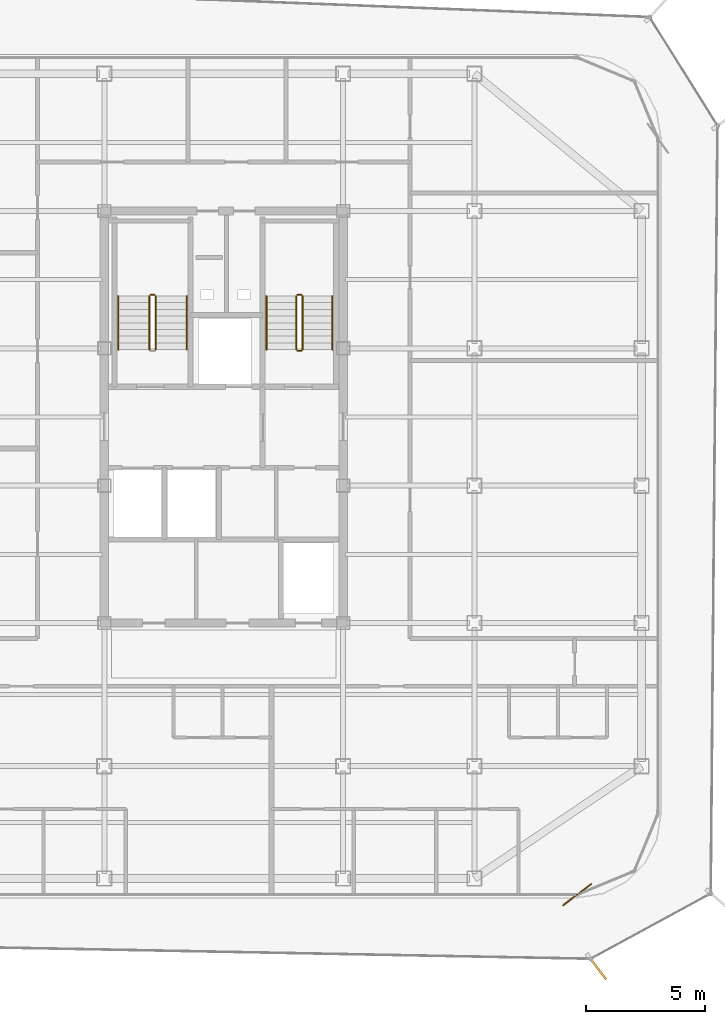
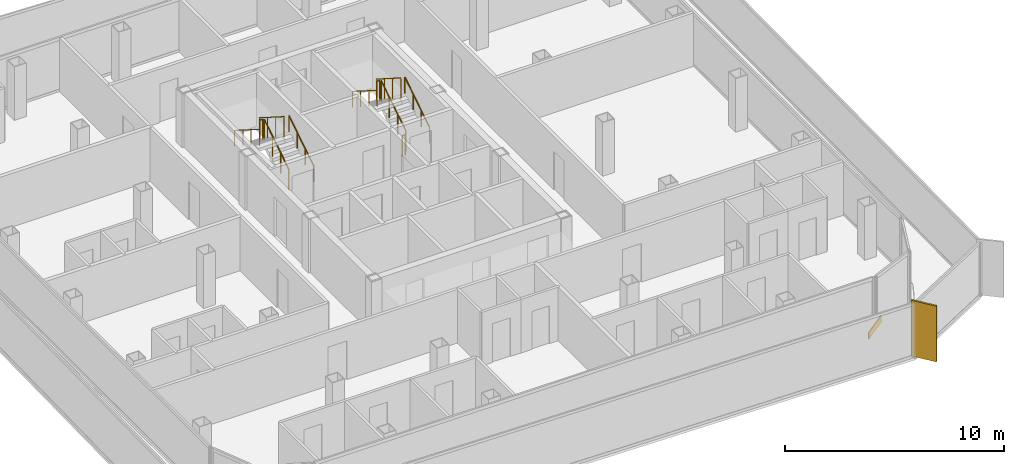
# One storey, part 14 of 15: 11 railings, 1 covering, 1 shading device.
"""IFC4 building model written with IfcOpenShell, lengths in metres."""

from ifc_helpers import new_model, si_unit, direction, frame, origin, origin_2d, place, context, subcontext, project, spatial, rectangle, circle, extrude, source, transform, mapped, material, layer, layer_set, type_object, element, save


model = new_model("IFC4")

# Units and contexts
model_context = context("Model", 3, precision=1e-05, world=origin(), true_north=direction((0.0, 1.0)))
body_context = subcontext(model_context, "Body", "Model", "MODEL_VIEW")
ifc_project = project(units=[si_unit("LENGTHUNIT", "METRE"), si_unit("AREAUNIT", "SQUARE_METRE"), si_unit("VOLUMEUNIT", "CUBIC_METRE"), si_unit("PLANEANGLEUNIT", "RADIAN"), si_unit("MASSUNIT", "GRAM", prefix="KILO")], contexts=[model_context])

# Site, building, storey
site_placement = place(None, origin())
site = spatial("IfcSite", under=ifc_project, at=site_placement, CompositionType="ELEMENT")
building_placement = place(site_placement, origin())
building = spatial("IfcBuilding", under=site, at=building_placement, Name="Kolveth Station Tower", CompositionType="ELEMENT")
storey_placement = place(building_placement, frame((0.0, 0.0, 261.699951171875)))
storey = spatial("IfcBuildingStorey", under=building, at=storey_placement, Name="L75", CompositionType="ELEMENT", Elevation=261.699951171875)

# Railings
ifc_material_1 = material(Name="Painted Steel S355 balustrade", Category="steel")
railing_type_1 = type_object("IfcRailingType", Name="Guard_GR2", PredefinedType="BALUSTRADE", material=ifc_material_1)
railing_1_placement = place(storey_placement, frame((20.64990234375, 22.949951171875, 0.177734375)))
element("IfcRailing", 1, at=railing_1_placement, inside=storey, type_object=railing_type_1, Name="L75 ST1 stair guard 1", PredefinedType="BALUSTRADE", context=body_context, shape_type="SweptSolid", body=[
    extrude(circle(Radius=0.02392578125, at=origin_2d()), frame((0.0, 0.0, 1.1259765625), z_axis=(0.0, 0.84418770128, 0.536047689118), x_axis=(-1.0, 0.0, 0.0)), (0.0, 0.0, 1.0), 2.6533203125),
    extrude(circle(Radius=0.02099609375, at=origin_2d()), origin(), (0.0, 0.0, 1.0), 1.101806640625),
    extrude(circle(Radius=0.02099609375, at=origin_2d()), frame((0.0, 0.74658203125, 0.47412109375)), (0.0, 0.0, 1.0), 1.101806640625),
    extrude(circle(Radius=0.02099609375, at=origin_2d()), frame((0.0, 1.493408203125, 0.9482421875)), (0.0, 0.0, 1.0), 1.101806640625),
    extrude(circle(Radius=0.02099609375, at=origin_2d()), frame((0.0, 2.239990234375, 1.42236328125)), (0.0, 0.0, 1.0), 1.101806640625),
])
railing_2_placement = place(storey_placement, frame((20.60009765625, 25.239990234375, 1.60009765625)))
element("IfcRailing", 2, at=railing_2_placement, inside=storey, type_object=railing_type_1, Name="L75 ST1 stair guard 2", PredefinedType="BALUSTRADE", context=body_context, shape_type="SweptSolid", body=[
    extrude(circle(Radius=0.02392578125, at=origin_2d()), frame((0.0, 0.0, 1.1259765625), z_axis=(-1.0, 0.0, 0.0), x_axis=(0.0, -1.0, 0.0)), (0.0, 0.0, 1.0), 0.16015625),
    extrude(circle(Radius=0.02099609375, at=origin_2d()), origin(), (0.0, 0.0, 1.0), 1.101806640625),
    extrude(circle(Radius=0.02099609375, at=origin_2d()), frame((-0.16015625, 0.0, 0.0)), (0.0, 0.0, 1.0), 1.101806640625),
])
railing_3_placement = place(storey_placement, frame((20.389892578125, 25.18994140625, 1.77783203125)))
element("IfcRailing", 3, at=railing_3_placement, inside=storey, type_object=railing_type_1, Name="L75 ST1 stair guard 3", PredefinedType="BALUSTRADE", context=body_context, shape_type="SweptSolid", body=[
    extrude(circle(Radius=0.02392578125, at=origin_2d()), frame((0.0, 0.0, 1.1259765625), z_axis=(0.0, -0.8442293374, 0.53598211339), x_axis=(1.0, 0.0, 0.0)), (0.0, 0.0, 1.0), 2.6533203125),
    extrude(circle(Radius=0.02099609375, at=origin_2d()), origin(), (0.0, 0.0, 1.0), 1.101806640625),
    extrude(circle(Radius=0.02099609375, at=origin_2d()), frame((0.0, -0.74658203125, 0.47412109375)), (0.0, 0.0, 1.0), 1.101806640625),
    extrude(circle(Radius=0.02099609375, at=origin_2d()), frame((0.0, -1.493408203125, 0.947998046875)), (0.0, 0.0, 1.0), 1.101806640625),
    extrude(circle(Radius=0.02099609375, at=origin_2d()), frame((0.0, -2.239990234375, 1.422119140625)), (0.0, 0.0, 1.0), 1.101806640625),
])
railing_4_placement = place(storey_placement, frame((26.800048828125, 22.949951171875, 0.177734375)))
element("IfcRailing", 4, at=railing_4_placement, inside=storey, type_object=railing_type_1, Name="L75 ST2 stair guard 1", PredefinedType="BALUSTRADE", context=body_context, shape_type="SweptSolid", body=[
    extrude(circle(Radius=0.02392578125, at=origin_2d()), frame((0.0, 0.0, 1.1259765625), z_axis=(0.0, 0.84418770128, 0.536047689118), x_axis=(-1.0, 0.0, 0.0)), (0.0, 0.0, 1.0), 2.6533203125),
    extrude(circle(Radius=0.02099609375, at=origin_2d()), origin(), (0.0, 0.0, 1.0), 1.101806640625),
    extrude(circle(Radius=0.02099609375, at=origin_2d()), frame((0.0, 0.74658203125, 0.47412109375)), (0.0, 0.0, 1.0), 1.101806640625),
    extrude(circle(Radius=0.02099609375, at=origin_2d()), frame((0.0, 1.493408203125, 0.9482421875)), (0.0, 0.0, 1.0), 1.101806640625),
    extrude(circle(Radius=0.02099609375, at=origin_2d()), frame((0.0, 2.239990234375, 1.42236328125)), (0.0, 0.0, 1.0), 1.101806640625),
])
railing_5_placement = place(storey_placement, frame((26.75, 25.239990234375, 1.60009765625)))
element("IfcRailing", 5, at=railing_5_placement, inside=storey, type_object=railing_type_1, Name="L75 ST2 stair guard 2", PredefinedType="BALUSTRADE", context=body_context, shape_type="SweptSolid", body=[
    extrude(circle(Radius=0.02392578125, at=origin_2d()), frame((0.0, 0.0, 1.1259765625), z_axis=(-1.0, 0.0, 0.0), x_axis=(0.0, -1.0, 0.0)), (0.0, 0.0, 1.0), 0.159912109375),
    extrude(circle(Radius=0.02099609375, at=origin_2d()), origin(), (0.0, 0.0, 1.0), 1.101806640625),
    extrude(circle(Radius=0.02099609375, at=origin_2d()), frame((-0.159912109375, 0.0, 0.0)), (0.0, 0.0, 1.0), 1.101806640625),
])
railing_6_placement = place(storey_placement, frame((26.5400390625, 25.18994140625, 1.77783203125)))
element("IfcRailing", 6, at=railing_6_placement, inside=storey, type_object=railing_type_1, Name="L75 ST2 stair guard 3", PredefinedType="BALUSTRADE", context=body_context, shape_type="SweptSolid", body=[
    extrude(circle(Radius=0.02392578125, at=origin_2d()), frame((0.0, 0.0, 1.1259765625), z_axis=(0.0, -0.8442293374, 0.53598211339), x_axis=(1.0, 0.0, 0.0)), (0.0, 0.0, 1.0), 2.6533203125),
    extrude(circle(Radius=0.02099609375, at=origin_2d()), origin(), (0.0, 0.0, 1.0), 1.101806640625),
    extrude(circle(Radius=0.02099609375, at=origin_2d()), frame((0.0, -0.74658203125, 0.47412109375)), (0.0, 0.0, 1.0), 1.101806640625),
    extrude(circle(Radius=0.02099609375, at=origin_2d()), frame((0.0, -1.493408203125, 0.947998046875)), (0.0, 0.0, 1.0), 1.101806640625),
    extrude(circle(Radius=0.02099609375, at=origin_2d()), frame((0.0, -2.239990234375, 1.422119140625)), (0.0, 0.0, 1.0), 1.101806640625),
])
railing_7_placement = place(storey_placement, frame((26.75, 22.89990234375, 0.0)))
element("IfcRailing", 7, at=railing_7_placement, inside=storey, type_object=railing_type_1, Name="L75 ST2 stair guard 4", PredefinedType="BALUSTRADE", context=body_context, shape_type="SweptSolid", body=[
    extrude(circle(Radius=0.02392578125, at=origin_2d()), frame((0.0, 0.0, 1.1259765625), z_axis=(-1.0, 0.0, 0.0), x_axis=(0.0, -1.0, 0.0)), (0.0, 0.0, 1.0), 0.159912109375),
    extrude(circle(Radius=0.02099609375, at=origin_2d()), origin(), (0.0, 0.0, 1.0), 1.101806640625),
    extrude(circle(Radius=0.02099609375, at=origin_2d()), frame((-0.159912109375, 0.0, 0.0)), (0.0, 0.0, 1.0), 1.101806640625),
])
ifc_material_2 = material(Name="Brushed stainless steel", Category="steel")
railing_type_2 = type_object("IfcRailingType", Name="Handrail_HR1", PredefinedType="HANDRAIL", material=ifc_material_2)
railing_8_placement = place(storey_placement, frame((21.949951171875, 22.949951171875, 0.177734375)))
element("IfcRailing", 8, at=railing_8_placement, inside=storey, type_object=railing_type_2, Name="L75 ST1 stair handrail 1", PredefinedType="HANDRAIL", context=body_context, shape_type="SweptSolid", body=[
    extrude(circle(Radius=0.02392578125, at=origin_2d()), frame((0.0, 0.0, 0.8759765625), z_axis=(0.0, 0.84418770128, 0.536047689118), x_axis=(-1.0, 0.0, 0.0)), (0.0, 0.0, 1.0), 2.6533203125),
    extrude(circle(Radius=0.02099609375, at=origin_2d()), origin(), (0.0, 0.0, 1.0), 0.851806640625),
    extrude(circle(Radius=0.02099609375, at=origin_2d()), frame((0.0, 0.74658203125, 0.47412109375)), (0.0, 0.0, 1.0), 0.851806640625),
    extrude(circle(Radius=0.02099609375, at=origin_2d()), frame((0.0, 1.493408203125, 0.9482421875)), (0.0, 0.0, 1.0), 0.851806640625),
    extrude(circle(Radius=0.02099609375, at=origin_2d()), frame((0.0, 2.239990234375, 1.42236328125)), (0.0, 0.0, 1.0), 0.851806640625),
])
railing_9_placement = place(storey_placement, frame((19.090087890625, 25.18994140625, 1.77783203125)))
element("IfcRailing", 9, at=railing_9_placement, inside=storey, type_object=railing_type_2, Name="L75 ST1 stair handrail 2", PredefinedType="HANDRAIL", context=body_context, shape_type="SweptSolid", body=[
    extrude(circle(Radius=0.02392578125, at=origin_2d()), frame((0.0, 0.0, 0.8759765625), z_axis=(0.0, -0.8442293374, 0.53598211339), x_axis=(1.0, 0.0, 0.0)), (0.0, 0.0, 1.0), 2.6533203125),
    extrude(circle(Radius=0.02099609375, at=origin_2d()), origin(), (0.0, 0.0, 1.0), 0.851806640625),
    extrude(circle(Radius=0.02099609375, at=origin_2d()), frame((0.0, -0.74658203125, 0.47412109375)), (0.0, 0.0, 1.0), 0.851806640625),
    extrude(circle(Radius=0.02099609375, at=origin_2d()), frame((0.0, -1.493408203125, 0.947998046875)), (0.0, 0.0, 1.0), 0.851806640625),
    extrude(circle(Radius=0.02099609375, at=origin_2d()), frame((0.0, -2.239990234375, 1.422119140625)), (0.0, 0.0, 1.0), 0.851806640625),
])
railing_10_placement = place(storey_placement, frame((28.050048828125, 22.949951171875, 0.177734375)))
element("IfcRailing", 10, at=railing_10_placement, inside=storey, type_object=railing_type_2, Name="L75 ST2 stair handrail 1", PredefinedType="HANDRAIL", context=body_context, shape_type="SweptSolid", body=[
    extrude(circle(Radius=0.02392578125, at=origin_2d()), frame((0.0, 0.0, 0.8759765625), z_axis=(0.0, 0.84418770128, 0.536047689118), x_axis=(-1.0, 0.0, 0.0)), (0.0, 0.0, 1.0), 2.6533203125),
    extrude(circle(Radius=0.02099609375, at=origin_2d()), origin(), (0.0, 0.0, 1.0), 0.851806640625),
    extrude(circle(Radius=0.02099609375, at=origin_2d()), frame((0.0, 0.74658203125, 0.47412109375)), (0.0, 0.0, 1.0), 0.851806640625),
    extrude(circle(Radius=0.02099609375, at=origin_2d()), frame((0.0, 1.493408203125, 0.9482421875)), (0.0, 0.0, 1.0), 0.851806640625),
    extrude(circle(Radius=0.02099609375, at=origin_2d()), frame((0.0, 2.239990234375, 1.42236328125)), (0.0, 0.0, 1.0), 0.851806640625),
])
railing_11_placement = place(storey_placement, frame((25.2900390625, 25.18994140625, 1.77783203125)))
element("IfcRailing", 11, at=railing_11_placement, inside=storey, type_object=railing_type_2, Name="L75 ST2 stair handrail 2", PredefinedType="HANDRAIL", context=body_context, shape_type="SweptSolid", body=[
    extrude(circle(Radius=0.02392578125, at=origin_2d()), frame((0.0, 0.0, 0.8759765625), z_axis=(0.0, -0.8442293374, 0.53598211339), x_axis=(1.0, 0.0, 0.0)), (0.0, 0.0, 1.0), 2.6533203125),
    extrude(circle(Radius=0.02099609375, at=origin_2d()), origin(), (0.0, 0.0, 1.0), 0.851806640625),
    extrude(circle(Radius=0.02099609375, at=origin_2d()), frame((0.0, -0.74658203125, 0.47412109375)), (0.0, 0.0, 1.0), 0.851806640625),
    extrude(circle(Radius=0.02099609375, at=origin_2d()), frame((0.0, -1.493408203125, 0.947998046875)), (0.0, 0.0, 1.0), 0.851806640625),
    extrude(circle(Radius=0.02099609375, at=origin_2d()), frame((0.0, -2.239990234375, 1.422119140625)), (0.0, 0.0, 1.0), 0.851806640625),
])

# Shading device
ifc_material_3 = material(Name="Black anodized aluminium 6063-T6", Category="aluminium")
shading_device_type = type_object("IfcShadingDeviceType", Name="FIN_VF1", PredefinedType="USERDEFINED", material=ifc_material_3)
shared_shape_1 = source(origin(), body_context, "Body", "SweptSolid", [
    extrude(rectangle(XDim=1.25, YDim=0.090087890625, at=origin_2d()), origin(), (0.0, 0.0, 1.0), 3.10009765625),
])
shading_device_placement = place(storey_placement, frame((39.135986328125, -2.927978515625, 0.0), z_axis=(0.0, 0.0, 1.0), x_axis=(0.605016094056, -0.796213241496, 0.0)))
element("IfcShadingDevice", 12, at=shading_device_placement, inside=storey, type_object=shading_device_type, Name="L75 Dark-Aluminium Solar Fin 1", ObjectType="FIN", PredefinedType="USERDEFINED", context=body_context, shape_type="MappedRepresentation", body=[
    mapped(shared_shape_1, transform((0.0, 0.0, 0.0), x_axis=(1.0, 0.0, 0.0), y_axis=(0.0, 1.0, 0.0), z_axis=(0.0, 0.0, 1.0), scale=1.0)),
])

# Covering
ifc_material_4 = material(Name="Charcoal anodized aluminium spandrel cladding", Category="aluminium")
ifc_layer = layer(ifc_material_4, 0.044921875)
ifc_layer_set = layer_set([ifc_layer], Name="Charcoal anodized aluminium spandrel cladding")
covering_type = type_object("IfcCoveringType", Name="Clad_CD1", PredefinedType="CLADDING", material=ifc_layer_set)
shared_shape_2 = source(origin(), body_context, "Body", "SweptSolid", [
    extrude(rectangle(XDim=1.5, YDim=0.044921875, at=origin_2d()), origin(), (0.0, 0.0, 1.0), 0.360107421875),
])
covering_placement = place(storey_placement, frame((38.300048828125, 0.1201171875, 0.0), z_axis=(0.0, 0.0, 1.0), x_axis=(0.796213241496, 0.605016094056, 0.0)))
element("IfcCovering", 13, at=covering_placement, inside=storey, type_object=covering_type, Name="L75 Spandrel Edge Cladding 1", PredefinedType="CLADDING", context=body_context, shape_type="MappedRepresentation", body=[
    mapped(shared_shape_2, transform((0.0, 0.0, 0.0), x_axis=(1.0, 0.0, 0.0), y_axis=(0.0, 1.0, 0.0), z_axis=(0.0, 0.0, 1.0), scale=1.0)),
])

save(model, "model.ifc")
